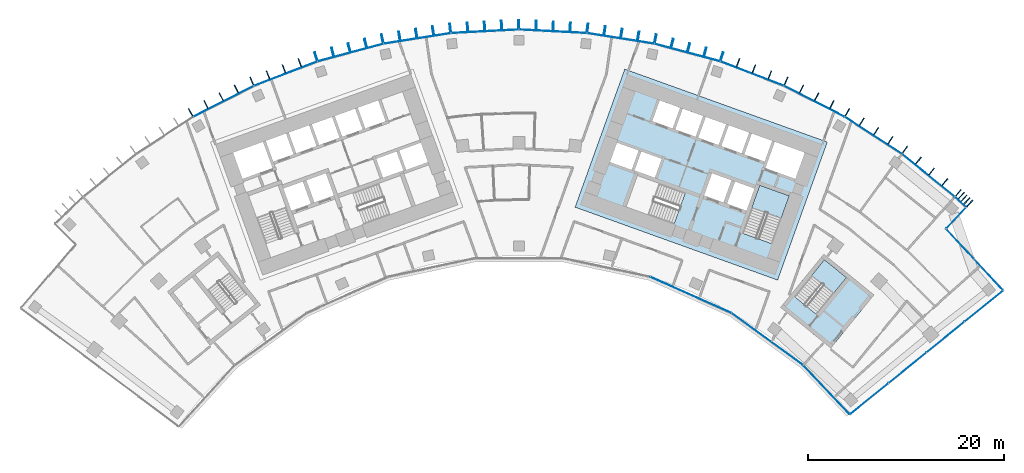
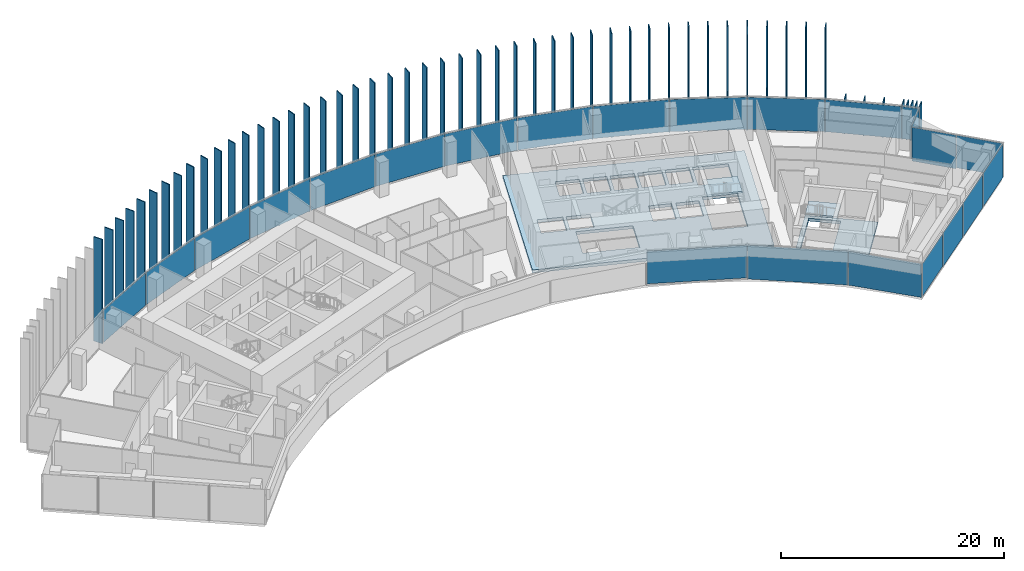
# One storey, part 14 of 23: 76 plates, 4 slabs, 7 elements without a shape of their own.
"""IFC4 building model written with IfcOpenShell, lengths in metres."""

import ifcopenshell
import ifcopenshell.guid

model = None  # the IFC model being written
_history = None  # IfcOwnerHistory: only IFC2X3 demands one
_inside = {}  # id of a spatial element -> (the spatial element, [elements in it])
_under = {}  # id of a project, library or spatial element -> (it, [spatial elements below it])
_declared = {}  # id of a project -> (the project, [libraries it declares])
_typed = {}  # id of a type object -> (the type object, [elements of that type])
_made_of = {}  # id of a material, layer set ... -> (it, [elements and type objects made of it])


def new_model(schema):
    """Start an empty IFC model of exactly this schema.

    Asked for "IFC4X3", IfcOpenShell would pick the latest addendum, in which some entities
    have other attributes; the version numbers below select the first issue.
    IFC2X3 requires an IfcOwnerHistory on every rooted entity: one is made here for all.
    """
    global model, _history
    if schema == "IFC4X3":
        model = ifcopenshell.file(schema_version=(4, 3, 0, 0))
    else:
        model = ifcopenshell.file(schema=schema)
    _inside.clear()
    _under.clear()
    _declared.clear()
    _typed.clear()
    _made_of.clear()
    _history = None
    if model.schema == "IFC2X3":
        org = make("IfcOrganization", Name="unknown")
        user = make(
            "IfcPersonAndOrganization",
            ThePerson=make("IfcPerson", FamilyName="unknown"),
            TheOrganization=org,
        )
        app = make(
            "IfcApplication",
            ApplicationDeveloper=org,
            Version="unknown",
            ApplicationFullName="unknown",
            ApplicationIdentifier="unknown",
        )
        _history = make(
            "IfcOwnerHistory",
            OwningUser=user,
            OwningApplication=app,
            ChangeAction="ADDED",
            CreationDate=0,
        )
    return model


def make(cls, **values):
    """One entity of the class cls with the attributes given. An attribute that is None is left unset."""
    return model.create_entity(
        cls, **{name: value for name, value in values.items() if value is not None}
    )


def rooted(cls, **values):
    """An entity with a GlobalId (a new one), such as an element, a storey or a relation."""
    return make(cls, GlobalId=ifcopenshell.guid.new(), OwnerHistory=_history, **values)


def si_unit(unit_type, name, prefix=None):
    """IfcSIUnit, for example si_unit("LENGTHUNIT", "METRE", prefix="MILLI")."""
    return make("IfcSIUnit", UnitType=unit_type, Prefix=prefix, Name=name)


def assignment(units):
    """IfcUnitAssignment: the units of a project."""
    return None if units is None else make("IfcUnitAssignment", Units=units)


def point(xyz):
    """IfcCartesianPoint."""
    return None if xyz is None else make("IfcCartesianPoint", Coordinates=xyz)


def direction(xyz):
    """IfcDirection."""
    return None if xyz is None else make("IfcDirection", DirectionRatios=xyz)


def frame(location, z_axis=None, x_axis=None):
    """IfcAxis2Placement3D, a coordinate frame: its origin and axes. An axis left out is left unset."""
    return make(
        "IfcAxis2Placement3D",
        Location=point(location),
        Axis=direction(z_axis),
        RefDirection=direction(x_axis),
    )


def frame_2d(location, x_axis=None):
    """IfcAxis2Placement2D, a coordinate frame in the plane: its origin and x axis."""
    return make(
        "IfcAxis2Placement2D", Location=point(location), RefDirection=direction(x_axis)
    )


def origin():
    """The frame at (0, 0, 0) with its axes left unset."""
    return frame((0.0, 0.0, 0.0))


def origin_2d():
    """The frame at (0, 0) in the plane with its x axis left unset."""
    return frame_2d((0.0, 0.0))


def place(relative_to, where):
    """IfcLocalPlacement: puts the frame where relative to a parent placement (None: the world)."""
    return make(
        "IfcLocalPlacement", PlacementRelTo=relative_to, RelativePlacement=where
    )


def context(
    kind, dimensions, precision=None, world=None, true_north=None, identifier=None
):
    """IfcGeometricRepresentationContext, for example the 3D "Model" context."""
    return make(
        "IfcGeometricRepresentationContext",
        ContextIdentifier=identifier,
        ContextType=kind,
        CoordinateSpaceDimension=dimensions,
        Precision=precision,
        WorldCoordinateSystem=world,
        TrueNorth=true_north,
    )


def subcontext(parent, identifier, kind, view, scale=None):
    """IfcGeometricRepresentationSubContext, for example "Body" below "Model"."""
    return make(
        "IfcGeometricRepresentationSubContext",
        ContextIdentifier=identifier,
        ContextType=kind,
        ParentContext=parent,
        TargetScale=scale,
        TargetView=view,
    )


def project(units=None, contexts=None):
    """IfcProject with its units and contexts."""
    return rooted(
        "IfcProject",
        Name="project",
        RepresentationContexts=contexts,
        UnitsInContext=assignment(units),
    )


def spatial(cls, under=None, at=None, **own):
    """A site, building, storey or space (cls), placed at a placement, below another one or the project."""
    s = rooted(cls, ObjectPlacement=at, **own)
    if under is not None:
        _under.setdefault(under.id(), (under, []))[1].append(s)
    return s


def polyline(points):
    """IfcPolyline through the points."""
    return make("IfcPolyline", Points=[point(p) for p in points])


def profile(cls, at=None, kind="AREA", **sizes):
    """A parametric profile (cls). Its sizes go by their IFC names, for example OverallWidth=200.0."""
    return make(cls, ProfileType=kind, Position=at, **sizes)


def rectangle(**sizes):
    """IfcRectangleProfileDef."""
    return profile("IfcRectangleProfileDef", **sizes)


def outline(outer, holes=None, kind="AREA"):
    """IfcArbitraryClosedProfileDef: a profile drawn as a closed curve; with holes, ...WithVoids."""
    if holes is None:
        return make("IfcArbitraryClosedProfileDef", ProfileType=kind, OuterCurve=outer)
    return make(
        "IfcArbitraryProfileDefWithVoids",
        ProfileType=kind,
        OuterCurve=outer,
        InnerCurves=holes,
    )


def extrude(swept, where, along, depth):
    """IfcExtrudedAreaSolid: the profile swept, set in the frame where, extruded along a direction by depth."""
    return make(
        "IfcExtrudedAreaSolid",
        SweptArea=swept,
        Position=where,
        ExtrudedDirection=direction(along),
        Depth=depth,
    )


def shape(context_of_items, identifier, shape_type, items):
    """IfcShapeRepresentation: the items that make up one representation, for example the "Body"."""
    return make(
        "IfcShapeRepresentation",
        ContextOfItems=context_of_items,
        RepresentationIdentifier=identifier,
        RepresentationType=shape_type,
        Items=items,
    )


def material(Name=None, Category=None):
    """IfcMaterial."""
    return make("IfcMaterial", Name=Name, Category=Category)


def layer(
    of_material, thickness, ventilated=None, Name=None, Category=None, Priority=None
):
    """IfcMaterialLayer: one layer of a wall or slab, of a material (None: an air gap)."""
    return make(
        "IfcMaterialLayer",
        Material=of_material,
        LayerThickness=thickness,
        IsVentilated=ventilated,
        Name=Name,
        Category=Category,
        Priority=Priority,
    )


def layer_set(layers, Name=None):
    """IfcMaterialLayerSet."""
    return make("IfcMaterialLayerSet", MaterialLayers=layers, LayerSetName=Name)


def made_of(thing, what):
    """Note that an element or type object is made of a material, layer set ...; save() writes the relation."""
    if what is not None:
        _made_of.setdefault(what.id(), (what, []))[1].append(thing)
    return thing


def type_object(cls, material=None, **own):
    """A type object (cls), such as IfcWallType, which elements share."""
    return made_of(rooted(cls, **own), material)


def element(
    cls,
    number,
    at=None,
    inside=None,
    cuts=None,
    type_object=None,
    material=None,
    context=None,
    identifier="Body",
    shape_type=None,
    held_by="IfcProductDefinitionShape",
    body=None,
    shapes=None,
    **own,
):
    """One element of the class cls, such as IfcWall. Its Tag is "e" and its number.

    at: its placement. inside: the storey or other place that contains it. cuts: it is an
    opening in that element (IfcRelVoidsElement). A single representation is given by context,
    identifier, shape_type and body (its items); several are given by shapes. held_by: the class
    of the entity that holds the representations. save() writes the other relations.
    """
    e = rooted(cls, Tag="e%d" % number, ObjectPlacement=at, **own)
    if body is not None:
        shapes = [shape(context, identifier, shape_type, body)]
    if shapes is not None:
        e.Representation = make(held_by, Representations=shapes)
    if inside is not None:
        _inside.setdefault(inside.id(), (inside, []))[1].append(e)
    if cuts is not None:
        rooted(
            "IfcRelVoidsElement", RelatingBuildingElement=cuts, RelatedOpeningElement=e
        )
    if type_object is not None:
        _typed.setdefault(type_object.id(), (type_object, []))[1].append(e)
    return made_of(e, material)


def aggregate(whole, parts):
    """IfcRelAggregates: a whole, such as a stair, and the parts it consists of."""
    return rooted("IfcRelAggregates", RelatingObject=whole, RelatedObjects=parts)


def save(model, path):
    """Write the relations noted so far, then the file.

    IfcRelAggregates (storeys below a building ...), IfcRelContainedInSpatialStructure (elements
    in a storey), IfcRelDefinesByType, IfcRelAssociatesMaterial and IfcRelDeclares: one each for
    every whole, place, type object, material and project.
    """
    for whole, parts in _under.values():
        aggregate(whole, parts)
    for where, things in _inside.values():
        rooted(
            "IfcRelContainedInSpatialStructure",
            RelatedElements=things,
            RelatingStructure=where,
        )
    for kind, things in _typed.values():
        rooted("IfcRelDefinesByType", RelatedObjects=things, RelatingType=kind)
    for what, things in _made_of.values():
        rooted("IfcRelAssociatesMaterial", RelatedObjects=things, RelatingMaterial=what)
    for by, libraries in _declared.values():
        rooted("IfcRelDeclares", RelatingContext=by, RelatedDefinitions=libraries)
    model.write(path)


model = new_model("IFC4")

# Units and contexts
model_context = context("Model", 3, precision=1e-05, world=origin(), true_north=direction((0.0, 1.0)))
body_context = subcontext(model_context, "Body", "Model", "MODEL_VIEW")
ifc_project = project(units=[si_unit("LENGTHUNIT", "METRE"), si_unit("AREAUNIT", "SQUARE_METRE"), si_unit("VOLUMEUNIT", "CUBIC_METRE"), si_unit("PLANEANGLEUNIT", "RADIAN"), si_unit("MASSUNIT", "GRAM", prefix="KILO")], contexts=[model_context])

# Site, building, storey
site_placement = place(None, origin())
site = spatial("IfcSite", under=ifc_project, at=site_placement, CompositionType="ELEMENT")
building_placement = place(site_placement, origin())
building = spatial("IfcBuilding", under=site, at=building_placement, Name="Stone Belt Terrace Tower", CompositionType="ELEMENT")
storey_placement = place(building_placement, frame((0.0, 0.0, 166.800048828125)))
storey = spatial("IfcBuildingStorey", under=building, at=storey_placement, Name="L40", CompositionType="ELEMENT", Elevation=166.800048828125)

# Curtain wall, plates
ifc_material_1 = material(Name="Aluminium 6063-T6 anodised frame", Category="aluminium")
ifc_layer_1 = layer(ifc_material_1, 0.14990234375)
ifc_layer_set_1 = layer_set([ifc_layer_1], Name="CW-A unitised convex-face curtain wall")
curtain_wall_type_1 = type_object("IfcCurtainWallType", Name="CW-A unitised convex-face curtain wall", PredefinedType="NOTDEFINED", material=ifc_layer_set_1)
curtain_wall_1_placement = place(storey_placement, origin())
curtain_wall_1 = element("IfcCurtainWall", 1, at=curtain_wall_1_placement, inside=storey, type_object=curtain_wall_type_1, Name="CW-A convex face L40", PredefinedType="NOTDEFINED")
ifc_material_2 = material(Name="Clear double glazed unit")
ifc_layer_2 = layer(ifc_material_2, 0.031982421875)
ifc_layer_set_2 = layer_set([ifc_layer_2], Name="CW-A glass panel 32")
plate_type_1 = type_object("IfcPlateType", Name="CW-A glass panel 32", PredefinedType="CURTAIN_PANEL", material=ifc_layer_set_2)
plate_1_placement = place(storey_placement, frame((45.110595703125, 48.9560546875, 0.139892578125), z_axis=(0.0, 0.0, 1.0), x_axis=(-0.735559243492, 0.67746040424, 0.0)))
plate_1 = element("IfcPlate", 2, at=plate_1_placement, type_object=plate_type_1, Name="CW-A panel 1.1", PredefinedType="CURTAIN_PANEL", context=body_context, shape_type="SweptSolid", body=[
    extrude(rectangle(XDim=1.4697265625, YDim=0.031982421875, at=origin_2d()), origin(), (0.0, 0.0, 1.0), 3.52001953125),
])
plate_2_placement = place(storey_placement, frame((41.839599609375, 51.667724609375, 0.139892578125), z_axis=(0.0, 0.0, 1.0), x_axis=(-0.777145961457, 0.62932039105, 0.0)))
plate_2 = element("IfcPlate", 3, at=plate_2_placement, type_object=plate_type_1, Name="CW-A panel 2.1", PredefinedType="CURTAIN_PANEL", context=body_context, shape_type="SweptSolid", body=[
    extrude(rectangle(XDim=6.900634765625, YDim=0.031982421875, at=origin_2d()), origin(), (0.0, 0.0, 1.0), 3.52001953125),
])
plate_3_placement = place(storey_placement, frame((36.209716796875, 55.758056640625, 0.139892578125), z_axis=(0.0, 0.0, 1.0), x_axis=(-0.838670567945, 0.544639035015, 0.0)))
plate_3 = element("IfcPlate", 4, at=plate_3_placement, type_object=plate_type_1, Name="CW-A panel 3.1", PredefinedType="CURTAIN_PANEL", context=body_context, shape_type="SweptSolid", body=[
    extrude(rectangle(XDim=6.90087890625, YDim=0.031982421875, at=origin_2d()), origin(), (0.0, 0.0, 1.0), 3.52001953125),
])
plate_4_placement = place(storey_placement, frame((30.18310546875, 59.237548828125, 0.139892578125), z_axis=(0.0, 0.0, 1.0), x_axis=(-0.891006524188, 0.45399049974, 0.0)))
plate_4 = element("IfcPlate", 5, at=plate_4_placement, type_object=plate_type_1, Name="CW-A panel 4.1", PredefinedType="CURTAIN_PANEL", context=body_context, shape_type="SweptSolid", body=[
    extrude(rectangle(XDim=6.90087890625, YDim=0.031982421875, at=origin_2d()), origin(), (0.0, 0.0, 1.0), 3.52001953125),
])
plate_5_placement = place(storey_placement, frame((23.82568359375, 62.068115234375, 0.139892578125), z_axis=(0.0, 0.0, 1.0), x_axis=(-0.933580426497, 0.358367949545, 0.0)))
plate_5 = element("IfcPlate", 6, at=plate_5_placement, type_object=plate_type_1, Name="CW-A panel 5.1", PredefinedType="CURTAIN_PANEL", context=body_context, shape_type="SweptSolid", body=[
    extrude(rectangle(XDim=6.90087890625, YDim=0.031982421875, at=origin_2d()), origin(), (0.0, 0.0, 1.0), 3.52001953125),
])
plate_6_placement = place(storey_placement, frame((17.207275390625, 64.218505859375, 0.139892578125), z_axis=(0.0, 0.0, 1.0), x_axis=(-0.965925826289, 0.258819045103, 0.0)))
plate_6 = element("IfcPlate", 7, at=plate_6_placement, type_object=plate_type_1, Name="CW-A panel 6.1", PredefinedType="CURTAIN_PANEL", context=body_context, shape_type="SweptSolid", body=[
    extrude(rectangle(XDim=6.90087890625, YDim=0.031982421875, at=origin_2d()), origin(), (0.0, 0.0, 1.0), 3.52001953125),
])
plate_7_placement = place(storey_placement, frame((10.400390625, 65.665283203125, 0.139892578125), z_axis=(0.0, 0.0, 1.0), x_axis=(-0.987688340595, 0.15643446504, 0.0)))
plate_7 = element("IfcPlate", 8, at=plate_7_placement, type_object=plate_type_1, Name="CW-A panel 7.1", PredefinedType="CURTAIN_PANEL", context=body_context, shape_type="SweptSolid", body=[
    extrude(rectangle(XDim=6.90087890625, YDim=0.031982421875, at=origin_2d()), origin(), (0.0, 0.0, 1.0), 3.52001953125),
])
plate_8_placement = place(storey_placement, frame((3.4794921875, 66.392822265625, 0.139892578125), z_axis=(0.0, 0.0, 1.0), x_axis=(-0.998629534755, 0.052335956243, 0.0)))
plate_8 = element("IfcPlate", 9, at=plate_8_placement, type_object=plate_type_1, Name="CW-A panel 8.1", PredefinedType="CURTAIN_PANEL", context=body_context, shape_type="SweptSolid", body=[
    extrude(rectangle(XDim=6.90087890625, YDim=0.031982421875, at=origin_2d()), origin(), (0.0, 0.0, 1.0), 3.52001953125),
])
plate_9_placement = place(storey_placement, frame((-3.4794921875, 66.392822265625, 0.139892578125), z_axis=(0.0, 0.0, 1.0), x_axis=(-0.998629534755, -0.052335956243, 0.0)))
plate_9 = element("IfcPlate", 10, at=plate_9_placement, type_object=plate_type_1, Name="CW-A panel 9.1", PredefinedType="CURTAIN_PANEL", context=body_context, shape_type="SweptSolid", body=[
    extrude(rectangle(XDim=6.90087890625, YDim=0.031982421875, at=origin_2d()), origin(), (0.0, 0.0, 1.0), 3.52001953125),
])
plate_10_placement = place(storey_placement, frame((-10.400390625, 65.665283203125, 0.139892578125), z_axis=(0.0, 0.0, 1.0), x_axis=(-0.987688340595, -0.15643446504, 0.0)))
plate_10 = element("IfcPlate", 11, at=plate_10_placement, type_object=plate_type_1, Name="CW-A panel 10.1", PredefinedType="CURTAIN_PANEL", context=body_context, shape_type="SweptSolid", body=[
    extrude(rectangle(XDim=6.90087890625, YDim=0.031982421875, at=origin_2d()), origin(), (0.0, 0.0, 1.0), 3.52001953125),
])
plate_11_placement = place(storey_placement, frame((-17.207275390625, 64.218505859375, 0.139892578125), z_axis=(0.0, 0.0, 1.0), x_axis=(-0.965925826289, -0.258819045103, 0.0)))
plate_11 = element("IfcPlate", 12, at=plate_11_placement, type_object=plate_type_1, Name="CW-A panel 11.1", PredefinedType="CURTAIN_PANEL", context=body_context, shape_type="SweptSolid", body=[
    extrude(rectangle(XDim=6.90087890625, YDim=0.031982421875, at=origin_2d()), origin(), (0.0, 0.0, 1.0), 3.52001953125),
])
plate_12_placement = place(storey_placement, frame((-23.82568359375, 62.068115234375, 0.139892578125), z_axis=(0.0, 0.0, 1.0), x_axis=(-0.933580426497, -0.358367949545, 0.0)))
plate_12 = element("IfcPlate", 13, at=plate_12_placement, type_object=plate_type_1, Name="CW-A panel 12.1", PredefinedType="CURTAIN_PANEL", context=body_context, shape_type="SweptSolid", body=[
    extrude(rectangle(XDim=6.90087890625, YDim=0.031982421875, at=origin_2d()), origin(), (0.0, 0.0, 1.0), 3.52001953125),
])
plate_13_placement = place(storey_placement, frame((-30.18310546875, 59.237548828125, 0.139892578125), z_axis=(0.0, 0.0, 1.0), x_axis=(-0.891006524188, -0.45399049974, 0.0)))
plate_13 = element("IfcPlate", 14, at=plate_13_placement, type_object=plate_type_1, Name="CW-A panel 13.1", PredefinedType="CURTAIN_PANEL", context=body_context, shape_type="SweptSolid", body=[
    extrude(rectangle(XDim=6.90087890625, YDim=0.031982421875, at=origin_2d()), origin(), (0.0, 0.0, 1.0), 3.52001953125),
])
aggregate(curtain_wall_1, [plate_1, plate_2, plate_3, plate_4, plate_5, plate_6, plate_7, plate_8, plate_9, plate_10, plate_11, plate_12, plate_13])

ifc_layer_3 = layer(ifc_material_1, 0.14990234375)
ifc_layer_set_3 = layer_set([ifc_layer_3], Name="CW-B unitised concave-face curtain wall")
curtain_wall_type_2 = type_object("IfcCurtainWallType", Name="CW-B unitised concave-face curtain wall", PredefinedType="NOTDEFINED", material=ifc_layer_set_3)
curtain_wall_2_placement = place(storey_placement, origin())
curtain_wall_2 = element("IfcCurtainWall", 15, at=curtain_wall_2_placement, inside=storey, type_object=curtain_wall_type_2, Name="CW-B concave face L40", PredefinedType="NOTDEFINED")
ifc_layer_4 = layer(ifc_material_2, 0.030029296875)
ifc_layer_set_4 = layer_set([ifc_layer_4], Name="CW-B glass panel 30")
plate_type_2 = type_object("IfcPlateType", Name="CW-B glass panel 30", PredefinedType="CURTAIN_PANEL", material=ifc_layer_set_4)
plate_14_placement = place(storey_placement, frame((17.565673828125, 39.453125, 0.119873046875), z_axis=(0.0, 0.0, 1.0), x_axis=(0.913545457643, -0.406736643076, 0.0)))
plate_14 = element("IfcPlate", 16, at=plate_14_placement, type_object=plate_type_2, Name="CW-B panel 7.1", PredefinedType="CURTAIN_PANEL", context=body_context, shape_type="SweptSolid", body=[
    extrude(rectangle(XDim=9.0126953125, YDim=0.030029296875, at=origin_2d()), origin(), (0.0, 0.0, 1.0), 3.56005859375),
])
plate_15_placement = place(storey_placement, frame((25.38525390625, 34.938232421875, 0.0), z_axis=(0.0, 0.0, 1.0), x_axis=(0.809016994375, -0.587785252292, 0.0)))
plate_15 = element("IfcPlate", 17, at=plate_15_placement, type_object=plate_type_2, Name="CW-B panel 8.1", PredefinedType="CURTAIN_PANEL", context=body_context, shape_type="SweptSolid", body=[
    extrude(rectangle(XDim=9.0146484375, YDim=0.030029296875, at=origin_2d()), origin(), (0.0, 0.0, 1.0), 3.679931640625),
])
plate_16_placement = place(storey_placement, frame((31.42626953125, 29.77197265625, 0.0), z_axis=(0.0, 0.0, 1.0), x_axis=(0.688067573759, -0.725646617811, 0.0)))
plate_16 = element("IfcPlate", 18, at=plate_16_placement, type_object=plate_type_2, Name="CW-B panel 9.1", PredefinedType="CURTAIN_PANEL", context=body_context, shape_type="SweptSolid", body=[
    extrude(rectangle(XDim=6.821533203125, YDim=0.030029296875, at=origin_2d()), origin(), (0.0, 0.0, 1.0), 3.679931640625),
])
aggregate(curtain_wall_2, [plate_14, plate_15, plate_16])

ifc_layer_5 = layer(ifc_material_1, 0.14990234375)
ifc_layer_set_5 = layer_set([ifc_layer_5], Name="CW-C stick curtain wall, horn ends and notches")
curtain_wall_type_3 = type_object("IfcCurtainWallType", Name="CW-C stick curtain wall, horn ends and notches", PredefinedType="NOTDEFINED", material=ifc_layer_set_5)
curtain_wall_3_placement = place(storey_placement, origin())
curtain_wall_3 = element("IfcCurtainWall", 19, at=curtain_wall_3_placement, inside=storey, type_object=curtain_wall_type_3, Name="CW-C end face L40", PredefinedType="NOTDEFINED")
ifc_layer_6 = layer(ifc_material_2, 0.028076171875)
ifc_layer_set_6 = layer_set([ifc_layer_6], Name="CW-C glass panel 28")
plate_type_3 = type_object("IfcPlateType", Name="CW-C glass panel 28", PredefinedType="CURTAIN_PANEL", material=ifc_layer_set_6)
plate_17_placement = place(storey_placement, frame((35.80859375, 28.853759765625, 0.119873046875), z_axis=(0.0, 0.0, 1.0), x_axis=(0.777643619096, 0.628705337721, 0.0)))
plate_17 = element("IfcPlate", 20, at=plate_17_placement, type_object=plate_type_3, Name="CW-C panel 1.1", PredefinedType="CURTAIN_PANEL", context=body_context, shape_type="SweptSolid", body=[
    extrude(rectangle(XDim=4.96630859375, YDim=0.028076171875, at=origin_2d()), origin(), (0.0, 0.0, 1.0), 3.56005859375),
])
plate_18_placement = place(storey_placement, frame((39.70703125, 32.005615234375, 0.0), z_axis=(0.0, 0.0, 1.0), x_axis=(0.777643619096, 0.628705337721, 0.0)))
plate_18 = element("IfcPlate", 21, at=plate_18_placement, type_object=plate_type_3, Name="CW-C panel 2.1", PredefinedType="CURTAIN_PANEL", context=body_context, shape_type="SweptSolid", body=[
    extrude(rectangle(XDim=4.93994140625, YDim=0.028076171875, at=origin_2d()), origin(), (0.0, 0.0, 1.0), 3.679931640625),
])
plate_19_placement = place(storey_placement, frame((43.59521484375, 35.149169921875, 0.0), z_axis=(0.0, 0.0, 1.0), x_axis=(0.777643619096, 0.628705337721, 0.0)))
plate_19 = element("IfcPlate", 22, at=plate_19_placement, type_object=plate_type_3, Name="CW-C panel 3.1", PredefinedType="CURTAIN_PANEL", context=body_context, shape_type="SweptSolid", body=[
    extrude(rectangle(XDim=4.93994140625, YDim=0.028076171875, at=origin_2d()), origin(), (0.0, 0.0, 1.0), 3.679931640625),
])
plate_20_placement = place(storey_placement, frame((47.4970703125, 38.3037109375, 0.0), z_axis=(0.0, 0.0, 1.0), x_axis=(0.777643619096, 0.628705337721, 0.0)))
plate_20 = element("IfcPlate", 23, at=plate_20_placement, type_object=plate_type_3, Name="CW-C panel 4.1", PredefinedType="CURTAIN_PANEL", context=body_context, shape_type="SweptSolid", body=[
    extrude(rectangle(XDim=4.974853515625, YDim=0.028076171875, at=origin_2d()), origin(), (0.0, 0.0, 1.0), 3.679931640625),
])
aggregate(curtain_wall_3, [plate_17, plate_18, plate_19, plate_20])

curtain_wall_4_placement = place(storey_placement, origin())
curtain_wall_4 = element("IfcCurtainWall", 24, at=curtain_wall_4_placement, inside=storey, type_object=curtain_wall_type_3, Name="CW-C notch face L40", PredefinedType="NOTDEFINED")
plate_21_placement = place(storey_placement, frame((47.98779296875, 41.535400390625, 0.119873046875), z_axis=(0.0, 0.0, 1.0), x_axis=(-0.679848778253, 0.733352329176, 0.0)))
plate_21 = element("IfcPlate", 25, at=plate_21_placement, type_object=plate_type_3, Name="CW-C panel 1.1", PredefinedType="CURTAIN_PANEL", context=body_context, shape_type="SweptSolid", body=[
    extrude(rectangle(XDim=4.268798828125, YDim=0.028076171875, at=origin_2d()), origin(), (0.0, 0.0, 1.0), 3.56005859375),
])
plate_22_placement = place(storey_placement, frame((45.09521484375, 44.655517578125, 0.0), z_axis=(0.0, 0.0, 1.0), x_axis=(-0.679848778253, 0.733352329176, 0.0)))
plate_22 = element("IfcPlate", 26, at=plate_22_placement, type_object=plate_type_3, Name="CW-C panel 2.1", PredefinedType="CURTAIN_PANEL", context=body_context, shape_type="SweptSolid", body=[
    extrude(rectangle(XDim=4.12060546875, YDim=0.028076171875, at=origin_2d()), origin(), (0.0, 0.0, 1.0), 3.679931640625),
])
aggregate(curtain_wall_4, [plate_21, plate_22])

# Curtain wall, plate
curtain_wall_5_placement = place(storey_placement, origin())
curtain_wall_5 = element("IfcCurtainWall", 27, at=curtain_wall_5_placement, inside=storey, type_object=curtain_wall_type_3, Name="CW-C notch face L40", PredefinedType="NOTDEFINED")
plate_23_placement = place(storey_placement, frame((44.675048828125, 47.3134765625, 0.119873046875), z_axis=(0.0, 0.0, 1.0), x_axis=(0.685704214398, 0.72788029947, 0.0)))
plate_23 = element("IfcPlate", 28, at=plate_23_placement, type_object=plate_type_3, Name="CW-C panel 1.1", PredefinedType="CURTAIN_PANEL", context=body_context, shape_type="SweptSolid", body=[
    extrude(rectangle(XDim=2.858154296875, YDim=0.028076171875, at=origin_2d()), origin(), (0.0, 0.0, 1.0), 3.56005859375),
])
aggregate(curtain_wall_5, [plate_23])

# Slabs
ifc_material_3 = material(Name="Concrete B40", Category="concrete")
ifc_layer_7 = layer(ifc_material_3, 0.320068359375)
ifc_layer_set_7 = layer_set([ifc_layer_7], Name="Core floor slab 320")
slab_type_1 = type_object("IfcSlabType", Name="Core floor slab 320", PredefinedType="FLOOR", material=ifc_layer_set_7)
slab_1_placement = place(storey_placement, frame((0.0, 0.0, -0.320068359375)))
element("IfcSlab", 29, at=slab_1_placement, inside=storey, type_object=slab_type_1, Name="Core B floor L40", PredefinedType="FLOOR", context=body_context, shape_type="SweptSolid", body=[
    extrude(outline(polyline([(26.43505859375, 40.968994140625), (31.513916015625, 55.0830078125), (10.81396484375, 62.531982421875), (5.735107421875, 48.4189453125), (26.43505859375, 40.968994140625)]), holes=[polyline([(12.10595703125, 51.652099609375), (16.998046875, 49.89208984375), (15.846923828125, 46.69189453125), (10.955078125, 48.452880859375), (12.10595703125, 51.652099609375)]), polyline([(12.511962890625, 54.110107421875), (14.58203125, 53.364990234375), (13.887939453125, 51.43603515625), (11.864990234375, 52.1640625), (11.847900390625, 52.116943359375), (11.801025390625, 52.134033203125), (12.511962890625, 54.110107421875)]), polyline([(9.30810546875, 53.031005859375), (10.01904296875, 55.007080078125), (12.22998046875, 54.2109375), (11.51904296875, 52.235107421875), (9.30810546875, 53.031005859375)]), polyline([(18.333984375, 55.52197265625), (19.095947265625, 57.638916015625), (21.166015625, 56.89404296875), (20.404052734375, 54.777099609375), (18.333984375, 55.52197265625)]), polyline([(16.743896484375, 58.485107421875), (18.81396484375, 57.739990234375), (18.052001953125, 55.623046875), (15.98193359375, 56.367919921875), (16.743896484375, 58.485107421875)]), polyline([(14.39111328125, 59.33203125), (16.4609375, 58.5869140625), (15.699951171875, 56.469970703125), (13.6298828125, 57.215087890625), (14.39111328125, 59.33203125)]), polyline([(27.618896484375, 49.575927734375), (25.85888671875, 44.68408203125), (22.847900390625, 45.76806640625), (24.60791015625, 50.659912109375), (27.618896484375, 49.575927734375)]), polyline([(21.27392578125, 48.778076171875), (22.0869140625, 51.035888671875), (24.06298828125, 50.324951171875), (23.25, 48.06689453125), (21.27392578125, 48.778076171875)]), polyline([(18.922119140625, 49.6240234375), (19.735107421875, 51.883056640625), (21.7109375, 51.1708984375), (20.89794921875, 48.9130859375), (18.922119140625, 49.6240234375)]), polyline([(26.153076171875, 55.09912109375), (29.2109375, 53.9990234375), (28.24609375, 51.31689453125), (25.18798828125, 52.41796875), (26.153076171875, 55.09912109375)]), polyline([(23.801025390625, 55.946044921875), (25.87109375, 55.200927734375), (25.10888671875, 53.083984375), (23.0390625, 53.8291015625), (23.801025390625, 55.946044921875)]), polyline([(21.447998046875, 56.7919921875), (23.51806640625, 56.047119140625), (22.756103515625, 53.929931640625), (20.68603515625, 54.675048828125), (21.447998046875, 56.7919921875)])]), origin(), (0.0, 0.0, 1.0), 0.320068359375),
])
slab_2_placement = place(storey_placement, frame((0.0, 0.0, -0.320068359375)))
element("IfcSlab", 30, at=slab_2_placement, inside=storey, type_object=slab_type_1, Name="Exit stair ST3B floor L40", PredefinedType="FLOOR", context=body_context, shape_type="SweptSolid", body=[
    extrude(outline(polyline([(26.741943359375, 38.18408203125), (31.866943359375, 34.02392578125), (36.278076171875, 39.458984375), (31.154052734375, 43.618896484375), (26.741943359375, 38.18408203125)]), holes=[polyline([(30.407958984375, 37.462890625), (28.156005859375, 39.291015625), (31.2119140625, 43.055908203125), (33.464111328125, 41.22802734375), (30.407958984375, 37.462890625)])]), origin(), (0.0, 0.0, 1.0), 0.320068359375),
])

# Stair, slab
stair_type = type_object("IfcStairType", Name="Exit stair 1500", PredefinedType="HALF_TURN_STAIR", material=ifc_material_3)
stair_1_placement = place(storey_placement, origin())
stair_1 = element("IfcStair", 31, at=stair_1_placement, inside=storey, type_object=stair_type, Name="L40 Exit stair 1 core B", PredefinedType="HALF_TURN_STAIR")
ifc_layer_8 = layer(ifc_material_3, 0.199951171875)
ifc_layer_set_8 = layer_set([ifc_layer_8], Name="Stair landing 200")
slab_type_2 = type_object("IfcSlabType", Name="Stair landing 200", PredefinedType="LANDING", material=ifc_layer_set_8)
slab_3_placement = place(storey_placement, frame((0.0, 0.0, 1.699951171875)))
slab_3 = element("IfcSlab", 32, at=slab_3_placement, type_object=slab_type_2, Name="ST1B landing 1", PredefinedType="LANDING", context=body_context, shape_type="SweptSolid", body=[
    extrude(outline(polyline([(26.806396484375, 47.3173828125), (27.619384765625, 49.576171875), (24.6083984375, 50.659912109375), (23.79541015625, 48.40087890625), (26.806396484375, 47.3173828125)])), origin(), (0.0, 0.0, 1.0), 0.199951171875),
])
aggregate(stair_1, [slab_3])

stair_2_placement = place(storey_placement, origin())
stair_2 = element("IfcStair", 33, at=stair_2_placement, inside=storey, type_object=stair_type, Name="L40 Exit stair 3B", PredefinedType="HALF_TURN_STAIR")
slab_4_placement = place(storey_placement, frame((0.0, 0.0, 1.699951171875)))
slab_4 = element("IfcSlab", 34, at=slab_4_placement, type_object=slab_type_2, Name="ST3B landing 1", PredefinedType="LANDING", context=body_context, shape_type="SweptSolid", body=[
    extrude(outline(polyline([(32.17138671875, 39.635986328125), (33.4638671875, 41.228271484375), (31.21240234375, 43.055908203125), (29.919921875, 41.463623046875), (32.17138671875, 39.635986328125)])), origin(), (0.0, 0.0, 1.0), 0.199951171875),
])
aggregate(stair_2, [slab_4])

# Plates
ifc_material_4 = material(Name="Terracotta coloured glazed ceramic", Category="masonry")
ifc_layer_9 = layer(ifc_material_4, 0.10009765625)
ifc_layer_set_9 = layer_set([ifc_layer_9], Name="Terracotta fin 100 x 900")
plate_type_4 = type_object("IfcPlateType", Name="Terracotta fin 100 x 900", PredefinedType="SHEET", material=ifc_layer_set_9)
for number, where, z_axis, x_axis, name in (
    (35, (46.0615234375, 48.7939453125, 0.0), (0.0, 0.0, 1.0), (0.67746040424, 0.735559243492, 0.0), "FIN L40 1.1"),
    (36, (45.771728515625, 49.06103515625, 0.0), (0.0, 0.0, 1.0), (0.67746040424, 0.735559243492, 0.0), "FIN L40 1.2"),
    (37, (45.481689453125, 49.328125, 0.0), (0.0, 0.0, 1.0), (0.67746040424, 0.735559243492, 0.0), "FIN L40 1.3"),
    (38, (45.19189453125, 49.594970703125, 0.0), (0.0, 0.0, 1.0), (0.67746040424, 0.735559243492, 0.0), "FIN L40 1.4"),
    (39, (44.889404296875, 49.873291015625, 0.0), (0.0, 0.0, 1.0), (0.653721175671, 0.756735504968, 0.0), "FIN L40 2.1"),
    (40, (43.52294921875, 50.97998046875, 0.0), (0.0, 0.0, 1.0), (0.62932039105, 0.777145961457, 0.0), "FIN L40 2.2"),
    (41, (42.16943359375, 52.076171875, 0.0), (0.0, 0.0, 1.0), (0.62932039105, 0.777145961457, 0.0), "FIN L40 2.3"),
    (42, (40.81591796875, 53.17236328125, 0.0), (0.0, 0.0, 1.0), (0.62932039105, 0.777145961457, 0.0), "FIN L40 2.4"),
):
    element("IfcPlate", number, at=place(storey_placement, frame(where, z_axis=z_axis, x_axis=x_axis)), inside=storey, type_object=plate_type_4, Name=name, PredefinedType="SHEET", context=body_context, shape_type="SweptSolid", body=[
        extrude(rectangle(XDim=0.89990234375, YDim=0.10009765625, at=origin_2d()), origin(), (0.0, 0.0, 1.0), 3.800048828125),
    ])
for number, where, z_axis, x_axis, name in (
    (43, (39.4404296875, 54.28515625, 0.0), (0.0, 0.0, 1.0), (0.587785252292, 0.809016994375, 0.0), "FIN L40 3.1"),
    (44, (37.956787109375, 55.24951171875, 0.0), (0.0, 0.0, 1.0), (0.544639035015, 0.838670567945, 0.0), "FIN L40 3.2"),
    (45, (36.49560546875, 56.1982421875, 0.0), (0.0, 0.0, 1.0), (0.544639035015, 0.838670567945, 0.0), "FIN L40 3.3"),
    (46, (35.03466796875, 57.147216796875, 0.0), (0.0, 0.0, 1.0), (0.544639035015, 0.838670567945, 0.0), "FIN L40 3.4"),
    (47, (33.550048828125, 58.1103515625, 0.0), (0.0, 0.0, 1.0), (0.5, 0.866025403784, 0.0), "FIN L40 4.1"),
    (48, (31.9736328125, 58.914306640625, 0.0), (0.0, 0.0, 1.0), (0.45399049974, 0.891006524188, 0.0), "FIN L40 4.2"),
    (49, (30.42138671875, 59.705322265625, 0.0), (0.0, 0.0, 1.0), (0.45399049974, 0.891006524188, 0.0), "FIN L40 4.3"),
    (50, (28.869140625, 60.496337890625, 0.0), (0.0, 0.0, 1.0), (0.45399049974, 0.891006524188, 0.0), "FIN L40 4.4"),
    (51, (27.2919921875, 61.299072265625, 0.0), (0.0, 0.0, 1.0), (0.406736643076, 0.913545457643, 0.0), "FIN L40 5.1"),
    (52, (25.64013671875, 61.933837890625, 0.0), (0.0, 0.0, 1.0), (0.358367949545, 0.933580426497, 0.0), "FIN L40 5.2"),
    (53, (24.013916015625, 62.55810546875, 0.0), (0.0, 0.0, 1.0), (0.358367949545, 0.933580426497, 0.0), "FIN L40 5.3"),
    (54, (22.387451171875, 63.182373046875, 0.0), (0.0, 0.0, 1.0), (0.358367949545, 0.933580426497, 0.0), "FIN L40 5.4"),
    (55, (20.735107421875, 63.81591796875, 0.0), (0.0, 0.0, 1.0), (0.309016994375, 0.951056516295, 0.0), "FIN L40 6.1"),
    (56, (19.02587890625, 64.274658203125, 0.0), (0.0, 0.0, 1.0), (0.258819045103, 0.965925826289, 0.0), "FIN L40 6.2"),
    (57, (17.34326171875, 64.7255859375, 0.0), (0.0, 0.0, 1.0), (0.258819045103, 0.965925826289, 0.0), "FIN L40 6.3"),
    (58, (15.660400390625, 65.176513671875, 0.0), (0.0, 0.0, 1.0), (0.258819045103, 0.965925826289, 0.0), "FIN L40 6.4"),
    (59, (13.950927734375, 65.6337890625, 0.0), (0.0, 0.0, 1.0), (0.207911690818, 0.978147600734, 0.0), "FIN L40 7.1"),
    (60, (12.203125, 65.911376953125, 0.0), (0.0, 0.0, 1.0), (0.15643446504, 0.987688340595, 0.0), "FIN L40 7.2"),
    (61, (10.482421875, 66.183837890625, 0.0), (0.0, 0.0, 1.0), (0.15643446504, 0.987688340595, 0.0), "FIN L40 7.3"),
    (62, (8.76171875, 66.456298828125, 0.0), (0.0, 0.0, 1.0), (0.15643446504, 0.987688340595, 0.0), "FIN L40 7.4"),
    (63, (7.013916015625, 66.732421875, 0.0), (0.0, 0.0, 1.0), (0.104528463268, 0.994521895368, 0.0), "FIN L40 8.1"),
    (64, (5.246826171875, 66.825927734375, 0.0), (0.0, 0.0, 1.0), (0.052335956243, 0.998629534755, 0.0), "FIN L40 8.2"),
    (65, (3.507080078125, 66.9169921875, 0.0), (0.0, 0.0, 1.0), (0.052335956243, 0.998629534755, 0.0), "FIN L40 8.3"),
    (66, (1.767333984375, 67.00830078125, 0.0), (0.0, 0.0, 1.0), (0.052335956243, 0.998629534755, 0.0), "FIN L40 8.4"),
    (67, (0.0, 67.10009765625, 0.0), (0.0, 0.0, 1.0), (0.0, 1.0, 0.0), "FIN L40 9.1"),
    (68, (-1.767333984375, 67.00830078125, 0.0), (0.0, 0.0, 1.0), (-0.052335956243, 0.998629534755, 0.0), "FIN L40 9.2"),
    (69, (-3.507080078125, 66.9169921875, 0.0), (0.0, 0.0, 1.0), (-0.052335956243, 0.998629534755, 0.0), "FIN L40 9.3"),
    (70, (-5.246826171875, 66.825927734375, 0.0), (0.0, 0.0, 1.0), (-0.052335956243, 0.998629534755, 0.0), "FIN L40 9.4"),
    (71, (-7.013916015625, 66.732421875, 0.0), (0.0, 0.0, 1.0), (-0.104528463268, 0.994521895368, 0.0), "FIN L40 10.1"),
    (72, (-8.76171875, 66.456298828125, 0.0), (0.0, 0.0, 1.0), (-0.15643446504, 0.987688340595, 0.0), "FIN L40 10.2"),
    (73, (-10.482421875, 66.183837890625, 0.0), (0.0, 0.0, 1.0), (-0.15643446504, 0.987688340595, 0.0), "FIN L40 10.3"),
    (74, (-12.203125, 65.911376953125, 0.0), (0.0, 0.0, 1.0), (-0.15643446504, 0.987688340595, 0.0), "FIN L40 10.4"),
    (75, (-13.950927734375, 65.6337890625, 0.0), (0.0, 0.0, 1.0), (-0.207911690818, 0.978147600734, 0.0), "FIN L40 11.1"),
    (76, (-15.660400390625, 65.176513671875, 0.0), (0.0, 0.0, 1.0), (-0.258819045103, 0.965925826289, 0.0), "FIN L40 11.2"),
    (77, (-17.34326171875, 64.7255859375, 0.0), (0.0, 0.0, 1.0), (-0.258819045103, 0.965925826289, 0.0), "FIN L40 11.3"),
    (78, (-19.02587890625, 64.274658203125, 0.0), (0.0, 0.0, 1.0), (-0.258819045103, 0.965925826289, 0.0), "FIN L40 11.4"),
    (79, (-20.735107421875, 63.81591796875, 0.0), (0.0, 0.0, 1.0), (-0.309016994375, 0.951056516295, 0.0), "FIN L40 12.1"),
    (80, (-22.387451171875, 63.182373046875, 0.0), (0.0, 0.0, 1.0), (-0.358367949545, 0.933580426497, 0.0), "FIN L40 12.2"),
    (81, (-24.013916015625, 62.55810546875, 0.0), (0.0, 0.0, 1.0), (-0.358367949545, 0.933580426497, 0.0), "FIN L40 12.3"),
    (82, (-25.64013671875, 61.933837890625, 0.0), (0.0, 0.0, 1.0), (-0.358367949545, 0.933580426497, 0.0), "FIN L40 12.4"),
    (83, (-27.2919921875, 61.299072265625, 0.0), (0.0, 0.0, 1.0), (-0.406736643076, 0.913545457643, 0.0), "FIN L40 13.1"),
    (84, (-28.869140625, 60.496337890625, 0.0), (0.0, 0.0, 1.0), (-0.45399049974, 0.891006524188, 0.0), "FIN L40 13.2"),
    (85, (-30.42138671875, 59.705322265625, 0.0), (0.0, 0.0, 1.0), (-0.45399049974, 0.891006524188, 0.0), "FIN L40 13.3"),
    (86, (-31.9736328125, 58.914306640625, 0.0), (0.0, 0.0, 1.0), (-0.45399049974, 0.891006524188, 0.0), "FIN L40 13.4"),
    (87, (-33.550048828125, 58.1103515625, 0.0), (0.0, 0.0, 1.0), (-0.5, 0.866025403784, 0.0), "FIN L40 14.1"),
):
    element("IfcPlate", number, at=place(storey_placement, frame(where, z_axis=z_axis, x_axis=x_axis)), inside=storey, type_object=plate_type_4, Name=name, PredefinedType="SHEET", context=body_context, shape_type="SweptSolid", body=[
        extrude(rectangle(XDim=0.89990234375, YDim=0.10009765625, at=origin_2d()), origin(), (0.0, 0.0, 1.0), 11.39990234375),
    ])

save(model, "model.ifc")
